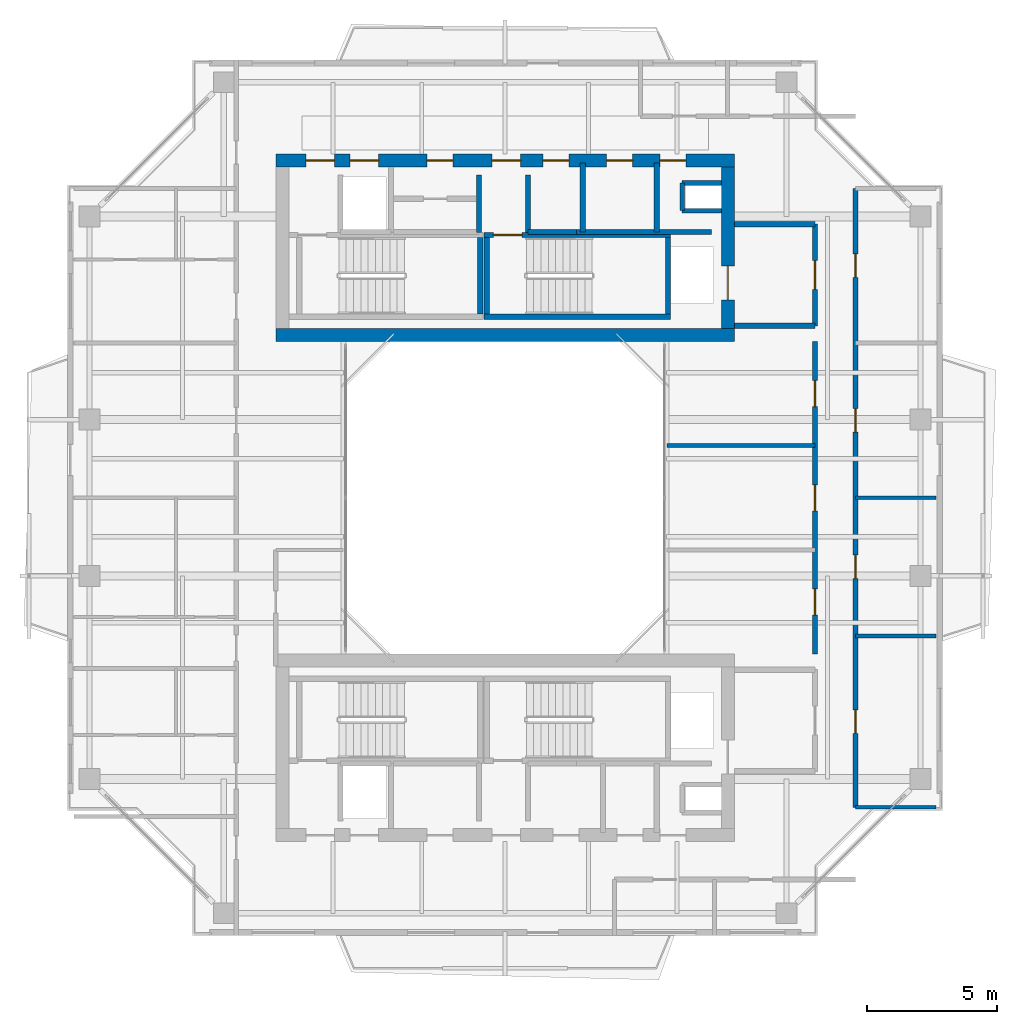
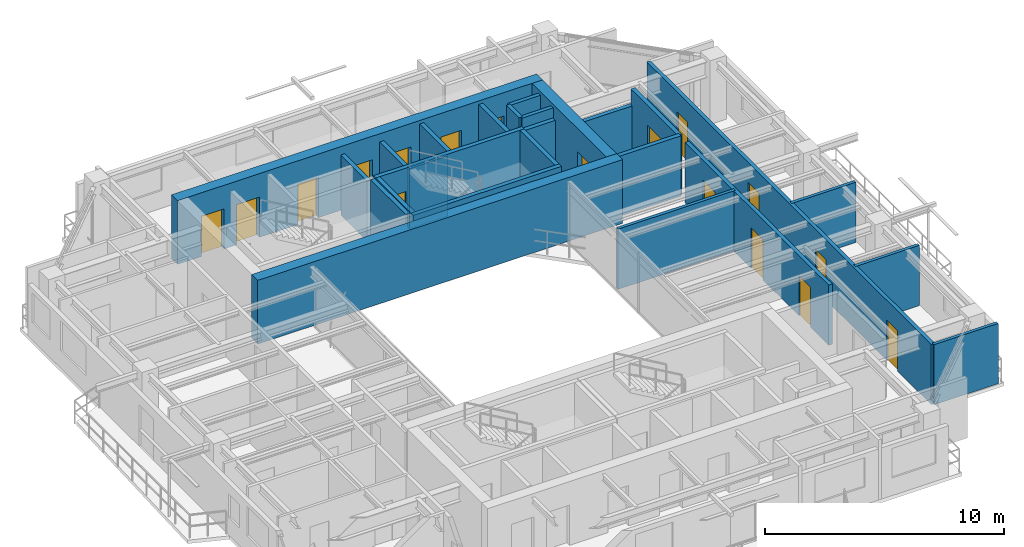
# One storey, part 12 of 16: 26 walls, 17 doors, 17 openings.
"""IFC4 building model written with IfcOpenShell, lengths in metres."""

from ifc_helpers import new_model, si_unit, direction, frame, frame_2d, origin, place, context, subcontext, project, spatial, rectangle, extrude, source, transform, mapped, material, layer, layer_set, type_object, element, fill, save


model = new_model("IFC4")

# Units and contexts
model_context = context("Model", 3, precision=1e-05, world=origin(), true_north=direction((0.0, 1.0)))
body_context = subcontext(model_context, "Body", "Model", "MODEL_VIEW")
ifc_project = project(units=[si_unit("LENGTHUNIT", "METRE"), si_unit("AREAUNIT", "SQUARE_METRE"), si_unit("VOLUMEUNIT", "CUBIC_METRE"), si_unit("PLANEANGLEUNIT", "RADIAN"), si_unit("MASSUNIT", "GRAM", prefix="KILO"), si_unit("THERMODYNAMICTEMPERATUREUNIT", "KELVIN"), si_unit("POWERUNIT", "WATT")], contexts=[model_context])

# Site, building, storey
site_placement = place(None, origin())
site = spatial("IfcSite", under=ifc_project, at=site_placement, CompositionType="ELEMENT")
building_placement = place(site_placement, origin())
building = spatial("IfcBuilding", under=site, at=building_placement, Name="Qiaomeng Ring Towers", CompositionType="ELEMENT")
storey_placement = place(building_placement, frame((0.0, 0.0, 210.0)))
storey = spatial("IfcBuildingStorey", under=building, at=storey_placement, Name="L61", CompositionType="ELEMENT", Elevation=210.0)

# Walls
ifc_material_1 = material(Name="Autoclaved aerated concrete block", Category="concrete")
ifc_layer_1 = layer(ifc_material_1, 0.199951171875, Name="Autoclaved aerated concrete block")
ifc_layer_set_1 = layer_set([ifc_layer_1], Name="Autoclaved aerated concrete block")
wall_type_1 = type_object("IfcWallType", Name="ARC-WL-PW1", PredefinedType="PARTITIONING", material=ifc_layer_set_1)
wall_1_placement = place(storey_placement, frame((27.800048828125, 29.60009765625, 0.0), z_axis=(0.0, 0.0, 1.0), x_axis=(1.0, 0.0, 0.0)))
element("IfcWall", 1, at=wall_1_placement, inside=storey, type_object=wall_type_1, Name="L61 Interior Wall PW1", PredefinedType="PARTITIONING", context=body_context, shape_type="SweptSolid", body=[
    extrude(rectangle(XDim=3.099853515625, YDim=0.199951171875, at=frame_2d((1.5498046875, 0.0))), origin(), (0.0, 0.0, 1.0), 3.070068359375),
])
wall_2_placement = place(storey_placement, frame((27.800048828125, 33.5, 0.0), z_axis=(0.0, 0.0, 1.0), x_axis=(1.0, 0.0, 0.0)))
element("IfcWall", 2, at=wall_2_placement, inside=storey, type_object=wall_type_1, Name="L61 Interior Wall PW1", PredefinedType="PARTITIONING", context=body_context, shape_type="SweptSolid", body=[
    extrude(rectangle(XDim=3.099853515625, YDim=0.199951171875, at=frame_2d((1.5498046875, 0.0))), origin(), (0.0, 0.0, 1.0), 2.264892578125),
])

# Wall, opening, door
wall_3_placement = place(storey_placement, frame((30.89990234375, 29.60009765625, 0.0), z_axis=(0.0, 0.0, 1.0), x_axis=(0.0, 1.0, 0.0)))
wall_3 = element("IfcWall", 3, at=wall_3_placement, inside=storey, type_object=wall_type_1, Name="L61 Interior Wall PW1", PredefinedType="PARTITIONING", context=body_context, shape_type="SweptSolid", body=[
    extrude(rectangle(XDim=3.89990234375, YDim=0.199951171875, at=frame_2d((1.949951171875, 0.0))), origin(), (0.0, 0.0, 1.0), 3.070068359375),
])
opening_1_placement = place(wall_3_placement, frame((1.39990234375, 0.0, 0.0)))
opening_1 = element("IfcOpeningElement", 4, at=opening_1_placement, cuts=wall_3, Name="Opening FD3", PredefinedType="OPENING", context=body_context, shape_type="SweptSolid", body=[
    extrude(rectangle(XDim=1.10009765625, YDim=2.050048828125, at=frame_2d((0.550048828125, 1.02490234375))), frame((0.0, 0.10986328125, 0.0), z_axis=(0.0, -1.0, 0.0), x_axis=(1.0, 0.0, 0.0)), (0.0, 0.0, 1.0), 0.219970703125),
])
ifc_material_2 = material(Name="Galvanised steel", Category="steel")
door_type_1 = type_object("IfcDoorType", Name="ARC-DR-FD3", OperationType="NOTDEFINED", PredefinedType="DOOR", material=ifc_material_2)
shared_shape_1 = source(origin(), body_context, "Body", "SweptSolid", [
    extrude(rectangle(XDim=1.10009765625, YDim=2.050048828125, at=frame_2d((0.550048828125, 1.02490234375))), frame((0.0, 0.02490234375, 0.0), z_axis=(0.0, -1.0, 0.0), x_axis=(1.0, 0.0, 0.0)), (0.0, 0.0, 1.0), 0.050048828125),
])
door_1_placement = place(opening_1_placement, origin())
door_1 = element("IfcDoor", 5, at=door_1_placement, inside=storey, type_object=door_type_1, Name="L61 North FF Lobby Door", OperationType="SINGLE_SWING_RIGHT", OverallHeight=2.050048828125, OverallWidth=1.10009765625, PredefinedType="DOOR", context=body_context, shape_type="MappedRepresentation", body=[
    mapped(shared_shape_1, transform((0.0, 0.0, 0.0), x_axis=(1.0, 0.0, 0.0), y_axis=(0.0, 1.0, 0.0), z_axis=(0.0, 0.0, 1.0), scale=1.0)),
])
fill(opening_1, door_1)

# Walls
for number, where, z_axis, x_axis, name in (
    (6, (18.0, 33.18994140625, 0.0), (0.0, 0.0, 1.0), (0.0, 1.0, 0.0), "L61 Interior Wall PW1"),
    (7, (19.8798828125, 33.18994140625, 0.0), (0.0, 0.0, 1.0), (0.0, 1.0, 0.0), "L61 Interior Wall PW1"),
):
    element("IfcWall", number, at=place(storey_placement, frame(where, z_axis=z_axis, x_axis=x_axis)), inside=storey, type_object=wall_type_1, Name=name, PredefinedType="PARTITIONING", context=body_context, shape_type="SweptSolid", body=[
        extrude(rectangle(XDim=2.2099609375, YDim=0.199951171875, at=frame_2d((1.10498046875, 0.0))), origin(), (0.0, 0.0, 1.0), 3.070068359375),
    ])
wall_4_placement = place(storey_placement, frame((24.820068359375, 33.199951171875, 0.0), z_axis=(0.0, 0.0, 1.0), x_axis=(0.0, 1.0, 0.0)))
element("IfcWall", 8, at=wall_4_placement, inside=storey, type_object=wall_type_1, Name="L61 Interior Wall PW1", PredefinedType="PARTITIONING", context=body_context, shape_type="SweptSolid", body=[
    extrude(rectangle(XDim=2.650146484375, YDim=0.199951171875, at=frame_2d((1.3251953125, 0.0))), origin(), (0.0, 0.0, 1.0), 3.070068359375),
])
wall_5_placement = place(storey_placement, frame((19.8798828125, 33.199951171875, 0.0), z_axis=(0.0, 0.0, 1.0), x_axis=(1.0, 0.0, 0.0)))
element("IfcWall", 9, at=wall_5_placement, inside=storey, type_object=wall_type_1, Name="L61 Interior Wall PW1", PredefinedType="PARTITIONING", context=body_context, shape_type="SweptSolid", body=[
    extrude(rectangle(XDim=1.8701171875, YDim=0.199951171875, at=frame_2d((0.93505859375, 0.0))), origin(), (0.0, 0.0, 1.0), 3.070068359375),
])
wall_6_placement = place(storey_placement, frame((21.97998046875, 33.199951171875, 0.0), z_axis=(0.0, 0.0, 1.0), x_axis=(0.0, 1.0, 0.0)))
element("IfcWall", 10, at=wall_6_placement, inside=storey, type_object=wall_type_1, Name="L61 Interior Wall PW1", PredefinedType="PARTITIONING", context=body_context, shape_type="SweptSolid", body=[
    extrude(rectangle(XDim=2.650146484375, YDim=0.199951171875, at=frame_2d((1.3251953125, 0.0))), origin(), (0.0, 0.0, 1.0), 3.070068359375),
])
wall_7_placement = place(storey_placement, frame((21.75, 33.199951171875, 0.0), z_axis=(0.0, 0.0, 1.0), x_axis=(1.0, 0.0, 0.0)))
element("IfcWall", 11, at=wall_7_placement, inside=storey, type_object=wall_type_1, Name="L61 Interior Wall PW1", PredefinedType="PARTITIONING", context=body_context, shape_type="SweptSolid", body=[
    extrude(rectangle(XDim=5.169921875, YDim=0.199951171875, at=frame_2d((2.5849609375, 0.0))), origin(), (0.0, 0.0, 1.0), 3.070068359375),
])

# Wall, openings, doors
ifc_layer_2 = layer(ifc_material_1, 0.179931640625, Name="Autoclaved aerated concrete block")
ifc_layer_set_2 = layer_set([ifc_layer_2], Name="Autoclaved aerated concrete block")
wall_type_2 = type_object("IfcWallType", Name="ARC-WL-PW2", PredefinedType="PARTITIONING", material=ifc_layer_set_2)
wall_8_placement = place(storey_placement, frame((30.89990234375, 17.0, 0.0), z_axis=(0.0, 0.0, 1.0), x_axis=(0.0, 1.0, 0.0)))
wall_8 = element("IfcWall", 12, at=wall_8_placement, inside=storey, type_object=wall_type_2, Name="L61 Interior Wall PW2", PredefinedType="PARTITIONING", context=body_context, shape_type="SweptSolid", body=[
    extrude(rectangle(XDim=12.0, YDim=0.179931640625, at=frame_2d((6.0, 0.0))), origin(), (0.0, 0.0, 1.0), 3.070068359375),
])
opening_2_placement = place(wall_8_placement, frame((1.5, 0.0, 0.0)))
opening_2 = element("IfcOpeningElement", 13, at=opening_2_placement, cuts=wall_8, Name="Opening FD4", PredefinedType="OPENING", context=body_context, shape_type="SweptSolid", body=[
    extrude(rectangle(XDim=1.0, YDim=2.050048828125, at=frame_2d((0.5, 1.02490234375))), frame((0.0, 0.099853515625, 0.0), z_axis=(0.0, -1.0, 0.0), x_axis=(1.0, 0.0, 0.0)), (0.0, 0.0, 1.0), 0.199951171875),
])
opening_3_placement = place(wall_8_placement, frame((5.5, 0.0, 0.0)))
opening_3 = element("IfcOpeningElement", 14, at=opening_3_placement, cuts=wall_8, Name="Opening FD4", PredefinedType="OPENING", context=body_context, shape_type="SweptSolid", body=[
    extrude(rectangle(XDim=1.0, YDim=2.050048828125, at=frame_2d((0.5, 1.02490234375))), frame((0.0, 0.099853515625, 0.0), z_axis=(0.0, -1.0, 0.0), x_axis=(1.0, 0.0, 0.0)), (0.0, 0.0, 1.0), 0.199951171875),
])
opening_4_placement = place(wall_8_placement, frame((9.5, 0.0, 0.0)))
opening_4 = element("IfcOpeningElement", 15, at=opening_4_placement, cuts=wall_8, Name="Opening FD4", PredefinedType="OPENING", context=body_context, shape_type="SweptSolid", body=[
    extrude(rectangle(XDim=1.0, YDim=2.050048828125, at=frame_2d((0.5, 1.02490234375))), frame((0.0, 0.099853515625, 0.0), z_axis=(0.0, -1.0, 0.0), x_axis=(1.0, 0.0, 0.0)), (0.0, 0.0, 1.0), 0.199951171875),
])
ifc_material_3 = material(Name="Engineered fire-rated oak timber", Category="wood")
door_type_2 = type_object("IfcDoorType", Name="ARC-DR-FD4", OperationType="NOTDEFINED", PredefinedType="DOOR", material=ifc_material_3)
shared_shape_2 = source(origin(), body_context, "Body", "SweptSolid", [
    extrude(rectangle(XDim=1.0, YDim=2.050048828125, at=frame_2d((0.5, 1.02490234375))), frame((0.0, 0.02490234375, 0.0), z_axis=(0.0, -1.0, 0.0), x_axis=(1.0, 0.0, 0.0)), (0.0, 0.0, 1.0), 0.050048828125),
])
door_2_placement = place(opening_2_placement, origin())
door_2 = element("IfcDoor", 16, at=door_2_placement, inside=storey, type_object=door_type_2, Name="L61 Door FD4", OperationType="SINGLE_SWING_RIGHT", OverallHeight=2.050048828125, OverallWidth=1.0, PredefinedType="DOOR", context=body_context, shape_type="MappedRepresentation", body=[
    mapped(shared_shape_2, transform((0.0, 0.0, 0.0), x_axis=(1.0, 0.0, 0.0), y_axis=(0.0, 1.0, 0.0), z_axis=(0.0, 0.0, 1.0), scale=1.0)),
])
fill(opening_2, door_2)
door_3_placement = place(opening_3_placement, origin())
door_3 = element("IfcDoor", 17, at=door_3_placement, inside=storey, type_object=door_type_2, Name="L61 Door FD4", OperationType="SINGLE_SWING_LEFT", OverallHeight=2.050048828125, OverallWidth=1.0, PredefinedType="DOOR", context=body_context, shape_type="MappedRepresentation", body=[
    mapped(shared_shape_2, transform((0.0, 0.0, 0.0), x_axis=(1.0, 0.0, 0.0), y_axis=(0.0, 1.0, 0.0), z_axis=(0.0, 0.0, 1.0), scale=1.0)),
])
fill(opening_3, door_3)
door_4_placement = place(opening_4_placement, origin())
door_4 = element("IfcDoor", 18, at=door_4_placement, inside=storey, type_object=door_type_2, Name="L61 Door FD4", OperationType="SINGLE_SWING_RIGHT", OverallHeight=2.050048828125, OverallWidth=1.0, PredefinedType="DOOR", context=body_context, shape_type="MappedRepresentation", body=[
    mapped(shared_shape_2, transform((0.0, 0.0, 0.0), x_axis=(1.0, 0.0, 0.0), y_axis=(0.0, 1.0, 0.0), z_axis=(0.0, 0.0, 1.0), scale=1.0)),
])
fill(opening_4, door_4)

wall_9_placement = place(storey_placement, frame((32.449951171875, 11.1201171875, 0.0), z_axis=(0.0, 0.0, 1.0), x_axis=(0.0, 1.0, 0.0)))
wall_9 = element("IfcWall", 19, at=wall_9_placement, inside=storey, type_object=wall_type_2, Name="L61 Interior Wall PW2", PredefinedType="PARTITIONING", context=body_context, shape_type="SweptSolid", body=[
    extrude(rectangle(XDim=23.759765625, YDim=0.179931640625, at=frame_2d((11.8798828125, 0.0))), origin(), (0.0, 0.0, 1.0), 3.070068359375),
])
opening_5_placement = place(wall_9_placement, frame((2.8349609375, 0.0, 0.0)))
opening_5 = element("IfcOpeningElement", 20, at=opening_5_placement, cuts=wall_9, Name="Opening ID1", PredefinedType="OPENING", context=body_context, shape_type="SweptSolid", body=[
    extrude(rectangle(XDim=0.89990234375, YDim=2.050048828125, at=frame_2d((0.449951171875, 1.02490234375))), frame((0.0, 0.099853515625, 0.0), z_axis=(0.0, -1.0, 0.0), x_axis=(1.0, 0.0, 0.0)), (0.0, 0.0, 1.0), 0.199951171875),
])
opening_6_placement = place(wall_9_placement, frame((8.77490234375, 0.0, 0.0)))
opening_6 = element("IfcOpeningElement", 21, at=opening_6_placement, cuts=wall_9, Name="Opening ID1", PredefinedType="OPENING", context=body_context, shape_type="SweptSolid", body=[
    extrude(rectangle(XDim=0.89990234375, YDim=2.050048828125, at=frame_2d((0.449951171875, 1.02490234375))), frame((0.0, 0.099853515625, 0.0), z_axis=(0.0, -1.0, 0.0), x_axis=(1.0, 0.0, 0.0)), (0.0, 0.0, 1.0), 0.199951171875),
])
opening_7_placement = place(wall_9_placement, frame((14.39990234375, 0.0, 0.0)))
opening_7 = element("IfcOpeningElement", 22, at=opening_7_placement, cuts=wall_9, Name="Opening ID1", PredefinedType="OPENING", context=body_context, shape_type="SweptSolid", body=[
    extrude(rectangle(XDim=0.89990234375, YDim=2.050048828125, at=frame_2d((0.449951171875, 1.02490234375))), frame((0.0, 0.099853515625, 0.0), z_axis=(0.0, -1.0, 0.0), x_axis=(1.0, 0.0, 0.0)), (0.0, 0.0, 1.0), 0.199951171875),
])
opening_8_placement = place(wall_9_placement, frame((20.340087890625, 0.0, 0.0)))
opening_8 = element("IfcOpeningElement", 23, at=opening_8_placement, cuts=wall_9, Name="Opening ID1", PredefinedType="OPENING", context=body_context, shape_type="SweptSolid", body=[
    extrude(rectangle(XDim=0.89990234375, YDim=2.050048828125, at=frame_2d((0.449951171875, 1.02490234375))), frame((0.0, 0.099853515625, 0.0), z_axis=(0.0, -1.0, 0.0), x_axis=(1.0, 0.0, 0.0)), (0.0, 0.0, 1.0), 0.199951171875),
])
ifc_material_4 = material(Name="Engineered oak timber", Category="wood")
door_type_3 = type_object("IfcDoorType", Name="ARC-DR-ID1", OperationType="NOTDEFINED", PredefinedType="DOOR", material=ifc_material_4)
shared_shape_3 = source(origin(), body_context, "Body", "SweptSolid", [
    extrude(rectangle(XDim=0.89990234375, YDim=2.050048828125, at=frame_2d((0.449951171875, 1.02490234375))), frame((0.0, 0.02490234375, 0.0), z_axis=(0.0, -1.0, 0.0), x_axis=(1.0, 0.0, 0.0)), (0.0, 0.0, 1.0), 0.050048828125),
])
door_5_placement = place(opening_5_placement, origin())
door_5 = element("IfcDoor", 24, at=door_5_placement, inside=storey, type_object=door_type_3, Name="L61 Door ID1", OperationType="SINGLE_SWING_LEFT", OverallHeight=2.050048828125, OverallWidth=0.89990234375, PredefinedType="DOOR", context=body_context, shape_type="MappedRepresentation", body=[
    mapped(shared_shape_3, transform((0.0, 0.0, 0.0), x_axis=(1.0, 0.0, 0.0), y_axis=(0.0, 1.0, 0.0), z_axis=(0.0, 0.0, 1.0), scale=1.0)),
])
fill(opening_5, door_5)
door_6_placement = place(opening_6_placement, origin())
door_6 = element("IfcDoor", 25, at=door_6_placement, inside=storey, type_object=door_type_3, Name="L61 Door ID1", OperationType="SINGLE_SWING_RIGHT", OverallHeight=2.050048828125, OverallWidth=0.89990234375, PredefinedType="DOOR", context=body_context, shape_type="MappedRepresentation", body=[
    mapped(shared_shape_3, transform((0.0, 0.0, 0.0), x_axis=(1.0, 0.0, 0.0), y_axis=(0.0, 1.0, 0.0), z_axis=(0.0, 0.0, 1.0), scale=1.0)),
])
fill(opening_6, door_6)
door_7_placement = place(opening_7_placement, origin())
door_7 = element("IfcDoor", 26, at=door_7_placement, inside=storey, type_object=door_type_3, Name="L61 Door ID1", OperationType="SINGLE_SWING_LEFT", OverallHeight=2.050048828125, OverallWidth=0.89990234375, PredefinedType="DOOR", context=body_context, shape_type="MappedRepresentation", body=[
    mapped(shared_shape_3, transform((0.0, 0.0, 0.0), x_axis=(1.0, 0.0, 0.0), y_axis=(0.0, 1.0, 0.0), z_axis=(0.0, 0.0, 1.0), scale=1.0)),
])
fill(opening_7, door_7)
door_8_placement = place(opening_8_placement, origin())
door_8 = element("IfcDoor", 27, at=door_8_placement, inside=storey, type_object=door_type_3, Name="L61 Door ID1", OperationType="SINGLE_SWING_RIGHT", OverallHeight=2.050048828125, OverallWidth=0.89990234375, PredefinedType="DOOR", context=body_context, shape_type="MappedRepresentation", body=[
    mapped(shared_shape_3, transform((0.0, 0.0, 0.0), x_axis=(1.0, 0.0, 0.0), y_axis=(0.0, 1.0, 0.0), z_axis=(0.0, 0.0, 1.0), scale=1.0)),
])
fill(opening_8, door_8)

# Walls
ifc_material_5 = material(Name="Gypsum fireboard steel-stud partition", Category="steel")
ifc_layer_3 = layer(ifc_material_5, 0.14990234375, Name="Gypsum fireboard steel-stud partition")
ifc_layer_set_3 = layer_set([ifc_layer_3], Name="Gypsum fireboard steel-stud partition")
wall_type_3 = type_object("IfcWallType", Name="ARC-WL-PW3", PredefinedType="PARTITIONING", material=ifc_layer_set_3)
wall_10_placement = place(storey_placement, frame((25.219970703125, 25.0, 0.0), z_axis=(0.0, 0.0, 1.0), x_axis=(1.0, 0.0, 0.0)))
element("IfcWall", 28, at=wall_10_placement, inside=storey, type_object=wall_type_3, Name="L61 Interior Wall PW3", PredefinedType="PARTITIONING", context=body_context, shape_type="SweptSolid", body=[
    extrude(rectangle(XDim=5.679931640625, YDim=0.14990234375, at=frame_2d((2.83984375, 0.0))), origin(), (0.0, 0.0, 1.0), 3.070068359375),
])
for number, where, z_axis, x_axis, name in (
    (29, (32.449951171875, 11.1201171875, 0.0), (0.0, 0.0, 1.0), (1.0, 0.0, 0.0), "L61 Interior Wall PW3"),
    (30, (32.449951171875, 17.68994140625, 0.0), (0.0, 0.0, 1.0), (1.0, 0.0, 0.0), "L61 Interior Wall PW3"),
    (31, (32.449951171875, 23.0, 0.0), (0.0, 0.0, 1.0), (1.0, 0.0, 0.0), "L61 Interior Wall PW3"),
):
    element("IfcWall", number, at=place(storey_placement, frame(where, z_axis=z_axis, x_axis=x_axis)), inside=storey, type_object=wall_type_3, Name=name, PredefinedType="PARTITIONING", context=body_context, shape_type="SweptSolid", body=[
        extrude(rectangle(XDim=3.10009765625, YDim=0.14990234375, at=frame_2d((1.550048828125, 0.0))), origin(), (0.0, 0.0, 1.0), 3.070068359375),
    ])
ifc_material_6 = material(Name="Concrete C40", Category="concrete")
ifc_layer_4 = layer(ifc_material_6, 0.199951171875, Name="Concrete C40")
ifc_layer_set_4 = layer_set([ifc_layer_4], Name="Concrete C40")
wall_type_4 = type_object("IfcWallType", Name="STR-WL-STSHAFT", PredefinedType="SHEAR", material=ifc_layer_set_4)
wall_11_placement = place(storey_placement, frame((25.800048828125, 34.02001953125, 0.0), z_axis=(0.0, 0.0, 1.0), x_axis=(0.0, 1.0, 0.0)))
element("IfcWall", 32, at=wall_11_placement, inside=storey, type_object=wall_type_4, Name="L61 Riser RSR1 West Shaft Wall N", PredefinedType="SHEAR", context=body_context, shape_type="SweptSolid", body=[
    extrude(rectangle(XDim=1.06005859375, YDim=0.179931640625, at=frame_2d((0.530029296875, 0.0))), origin(), (0.0, 0.0, 1.0), 3.070068359375),
])
for number, where, z_axis, x_axis, name in (
    (33, (25.800048828125, 35.080078125, 0.0), (0.0, 0.0, 1.0), (1.0, 0.0, 0.0), "L61 Riser RSR1 North Shaft Wall N"),
    (34, (25.800048828125, 34.02001953125, 0.0), (0.0, 0.0, 1.0), (1.0, 0.0, 0.0), "L61 Riser RSR1 South Shaft Wall N"),
):
    element("IfcWall", number, at=place(storey_placement, frame(where, z_axis=z_axis, x_axis=x_axis)), inside=storey, type_object=wall_type_4, Name=name, PredefinedType="SHEAR", context=body_context, shape_type="SweptSolid", body=[
        extrude(rectangle(XDim=1.5, YDim=0.179931640625, at=frame_2d((0.75, 0.0))), origin(), (0.0, 0.0, 1.0), 3.070068359375),
    ])
wall_12_placement = place(storey_placement, frame((18.050048828125, 30.050048828125, 0.0), z_axis=(0.0, 0.0, 1.0), x_axis=(0.0, 1.0, 0.0)))
element("IfcWall", 35, at=wall_12_placement, inside=storey, type_object=wall_type_4, Name="L61 Stair ST1 East Shaft Shear Wall", PredefinedType="SHEAR", context=body_context, shape_type="SweptSolid", body=[
    extrude(rectangle(XDim=2.93994140625, YDim=0.199951171875, at=frame_2d((1.469970703125, 0.0))), origin(), (0.0, 0.0, 1.0), 3.25),
])
wall_13_placement = place(storey_placement, frame((18.199951171875, 29.949951171875, 0.0), z_axis=(0.0, 0.0, 1.0), x_axis=(1.0, 0.0, 0.0)))
element("IfcWall", 36, at=wall_13_placement, inside=storey, type_object=wall_type_4, Name="L61 Stair ST2 South Shaft Shear Wall", PredefinedType="SHEAR", context=body_context, shape_type="SweptSolid", body=[
    extrude(rectangle(XDim=7.150146484375, YDim=0.199951171875, at=frame_2d((3.5751953125, 0.0))), origin(), (0.0, 0.0, 1.0), 3.25),
])

# Wall, opening, door
wall_14_placement = place(storey_placement, frame((18.199951171875, 33.090087890625, 0.0), z_axis=(0.0, 0.0, 1.0), x_axis=(1.0, 0.0, 0.0)))
wall_14 = element("IfcWall", 37, at=wall_14_placement, inside=storey, type_object=wall_type_4, Name="L61 Stair ST2 North Shaft Shear Wall", PredefinedType="SHEAR", context=body_context, shape_type="SweptSolid", body=[
    extrude(rectangle(XDim=7.150146484375, YDim=0.199951171875, at=frame_2d((3.5751953125, 0.0))), origin(), (0.0, 0.0, 1.0), 3.25),
])
opening_9_placement = place(wall_14_placement, frame((0.35009765625, 0.0, 0.0)))
opening_9 = element("IfcOpeningElement", 38, at=opening_9_placement, cuts=wall_14, Name="Opening FD3", PredefinedType="OPENING", context=body_context, shape_type="SweptSolid", body=[
    extrude(rectangle(XDim=1.10009765625, YDim=2.050048828125, at=frame_2d((0.550048828125, 1.02490234375))), frame((0.0, 0.10986328125, 0.0), z_axis=(0.0, -1.0, 0.0), x_axis=(1.0, 0.0, 0.0)), (0.0, 0.0, 1.0), 0.219970703125),
])
door_9_placement = place(opening_9_placement, origin())
door_9 = element("IfcDoor", 39, at=door_9_placement, inside=storey, type_object=door_type_1, Name="L61 Stair ST2 Exit Door", OperationType="SINGLE_SWING_LEFT", OverallHeight=2.050048828125, OverallWidth=1.10009765625, PredefinedType="DOOR", context=body_context, shape_type="MappedRepresentation", body=[
    mapped(shared_shape_1, transform((0.0, 0.0, 0.0), x_axis=(1.0, 0.0, 0.0), y_axis=(0.0, 1.0, 0.0), z_axis=(0.0, 0.0, 1.0), scale=1.0)),
])
fill(opening_9, door_9)

# Walls
for number, where, z_axis, x_axis, name in (
    (40, (18.300048828125, 30.050048828125, 0.0), (0.0, 0.0, 1.0), (0.0, 1.0, 0.0), "L61 Stair ST2 West Shaft Shear Wall"),
    (41, (25.25, 30.050048828125, 0.0), (0.0, 0.0, 1.0), (0.0, 1.0, 0.0), "L61 Stair ST2 East Shaft Shear Wall"),
):
    element("IfcWall", number, at=place(storey_placement, frame(where, z_axis=z_axis, x_axis=x_axis)), inside=storey, type_object=wall_type_4, Name=name, PredefinedType="SHEAR", context=body_context, shape_type="SweptSolid", body=[
        extrude(rectangle(XDim=2.93994140625, YDim=0.199951171875, at=frame_2d((1.469970703125, 0.0))), origin(), (0.0, 0.0, 1.0), 3.25),
    ])
ifc_layer_5 = layer(ifc_material_6, 0.5, Name="Concrete C40")
ifc_layer_set_5 = layer_set([ifc_layer_5], Name="Concrete C40")
wall_type_5 = type_object("IfcWallType", Name="STR-WL-SW3", PredefinedType="SHEAR", material=ifc_layer_set_5)
wall_15_placement = place(storey_placement, frame((10.199951171875, 29.25, 0.0), z_axis=(0.0, 0.0, 1.0), x_axis=(1.0, 0.0, 0.0)))
element("IfcWall", 42, at=wall_15_placement, inside=storey, type_object=wall_type_5, Name="L61 T1NC south core shear wall", PredefinedType="SHEAR", context=body_context, shape_type="SweptSolid", body=[
    extrude(rectangle(XDim=17.60009765625, YDim=0.5, at=frame_2d((8.800048828125, 0.0))), origin(), (0.0, 0.0, 1.0), 3.25),
])

# Wall, openings, doors
wall_16_placement = place(storey_placement, frame((10.199951171875, 35.949951171875, 0.0), z_axis=(0.0, 0.0, 1.0), x_axis=(1.0, 0.0, 0.0)))
wall_16 = element("IfcWall", 43, at=wall_16_placement, inside=storey, type_object=wall_type_5, Name="L61 T1NC north core shear wall", PredefinedType="SHEAR", context=body_context, shape_type="SweptSolid", body=[
    extrude(rectangle(XDim=17.60009765625, YDim=0.5, at=frame_2d((8.800048828125, 0.0))), origin(), (0.0, 0.0, 1.0), 3.25),
])
opening_10_placement = place(wall_16_placement, frame((1.14990234375, 0.0, 0.0)))
opening_10 = element("IfcOpeningElement", 44, at=opening_10_placement, cuts=wall_16, Name="Opening FD3", PredefinedType="OPENING", context=body_context, shape_type="SweptSolid", body=[
    extrude(rectangle(XDim=1.10009765625, YDim=2.050048828125, at=frame_2d((0.550048828125, 1.02490234375))), frame((0.0, 0.260009765625, 0.0), z_axis=(0.0, -1.0, 0.0), x_axis=(1.0, 0.0, 0.0)), (0.0, 0.0, 1.0), 0.52001953125),
])
opening_11_placement = place(wall_16_placement, frame((8.300048828125, 0.0, 0.0)))
opening_11 = element("IfcOpeningElement", 45, at=opening_11_placement, cuts=wall_16, Name="Opening FD3", PredefinedType="OPENING", context=body_context, shape_type="SweptSolid", body=[
    extrude(rectangle(XDim=1.10009765625, YDim=2.050048828125, at=frame_2d((0.550048828125, 1.02490234375))), frame((0.0, 0.260009765625, 0.0), z_axis=(0.0, -1.0, 0.0), x_axis=(1.0, 0.0, 0.0)), (0.0, 0.0, 1.0), 0.52001953125),
])
opening_12_placement = place(wall_16_placement, frame((2.85009765625, 0.0, 0.0)))
opening_12 = element("IfcOpeningElement", 46, at=opening_12_placement, cuts=wall_16, Name="Opening LD1", PredefinedType="OPENING", context=body_context, shape_type="SweptSolid", body=[
    extrude(rectangle(XDim=1.10009765625, YDim=2.050048828125, at=frame_2d((0.550048828125, 1.02490234375))), frame((0.0, 0.260009765625, 0.0), z_axis=(0.0, -1.0, 0.0), x_axis=(1.0, 0.0, 0.0)), (0.0, 0.0, 1.0), 0.52001953125),
])
opening_13_placement = place(wall_16_placement, frame((5.800048828125, 0.0, 0.0)))
opening_13 = element("IfcOpeningElement", 47, at=opening_13_placement, cuts=wall_16, Name="Opening FD1", PredefinedType="OPENING", context=body_context, shape_type="SweptSolid", body=[
    extrude(rectangle(XDim=1.0, YDim=2.050048828125, at=frame_2d((0.5, 1.02490234375))), frame((0.0, 0.260009765625, 0.0), z_axis=(0.0, -1.0, 0.0), x_axis=(1.0, 0.0, 0.0)), (0.0, 0.0, 1.0), 0.52001953125),
])
opening_14_placement = place(wall_16_placement, frame((14.739990234375, 0.0, 0.0)))
opening_14 = element("IfcOpeningElement", 48, at=opening_14_placement, cuts=wall_16, Name="Opening FD1", PredefinedType="OPENING", context=body_context, shape_type="SweptSolid", body=[
    extrude(rectangle(XDim=1.0, YDim=2.050048828125, at=frame_2d((0.5, 1.02490234375))), frame((0.0, 0.260009765625, 0.0), z_axis=(0.0, -1.0, 0.0), x_axis=(1.0, 0.0, 0.0)), (0.0, 0.0, 1.0), 0.52001953125),
])
opening_15_placement = place(wall_16_placement, frame((10.25, 0.0, 0.0)))
opening_15 = element("IfcOpeningElement", 49, at=opening_15_placement, cuts=wall_16, Name="Opening FD1", PredefinedType="OPENING", context=body_context, shape_type="SweptSolid", body=[
    extrude(rectangle(XDim=1.0, YDim=2.050048828125, at=frame_2d((0.5, 1.02490234375))), frame((0.0, 0.260009765625, 0.0), z_axis=(0.0, -1.0, 0.0), x_axis=(1.0, 0.0, 0.0)), (0.0, 0.0, 1.0), 0.52001953125),
])
opening_16_placement = place(wall_16_placement, frame((12.699951171875, 0.0, 0.0)))
opening_16 = element("IfcOpeningElement", 50, at=opening_16_placement, cuts=wall_16, Name="Opening FD1", PredefinedType="OPENING", context=body_context, shape_type="SweptSolid", body=[
    extrude(rectangle(XDim=1.0, YDim=2.050048828125, at=frame_2d((0.5, 1.02490234375))), frame((0.0, 0.260009765625, 0.0), z_axis=(0.0, -1.0, 0.0), x_axis=(1.0, 0.0, 0.0)), (0.0, 0.0, 1.0), 0.52001953125),
])
door_10_placement = place(opening_10_placement, origin())
door_10 = element("IfcDoor", 51, at=door_10_placement, inside=storey, type_object=door_type_1, Name="L61 Stair ST1 Lobby Door", OperationType="SINGLE_SWING_RIGHT", OverallHeight=2.050048828125, OverallWidth=1.10009765625, PredefinedType="DOOR", context=body_context, shape_type="MappedRepresentation", body=[
    mapped(shared_shape_1, transform((0.0, 0.0, 0.0), x_axis=(1.0, 0.0, 0.0), y_axis=(0.0, 1.0, 0.0), z_axis=(0.0, 0.0, 1.0), scale=1.0)),
])
fill(opening_10, door_10)
door_11_placement = place(opening_11_placement, origin())
door_11 = element("IfcDoor", 52, at=door_11_placement, inside=storey, type_object=door_type_1, Name="L61 Stair ST2 Lobby Door", OperationType="SINGLE_SWING_RIGHT", OverallHeight=2.050048828125, OverallWidth=1.10009765625, PredefinedType="DOOR", context=body_context, shape_type="MappedRepresentation", body=[
    mapped(shared_shape_1, transform((0.0, 0.0, 0.0), x_axis=(1.0, 0.0, 0.0), y_axis=(0.0, 1.0, 0.0), z_axis=(0.0, 0.0, 1.0), scale=1.0)),
])
fill(opening_11, door_11)
ifc_material_7 = material(Name="Stainless steel 316", Category="steel")
door_type_4 = type_object("IfcDoorType", Name="ARC-DR-LD1", OperationType="NOTDEFINED", PredefinedType="DOOR", material=ifc_material_7)
door_12_placement = place(opening_12_placement, origin())
door_12 = element("IfcDoor", 53, at=door_12_placement, inside=storey, type_object=door_type_4, Name="L61 High-Zone Lift LP5 Landing Door", OperationType="SLIDING_TO_LEFT", OverallHeight=2.050048828125, OverallWidth=1.10009765625, PredefinedType="DOOR", context=body_context, shape_type="MappedRepresentation", body=[
    mapped(shared_shape_1, transform((0.0, 0.0, 0.0), x_axis=(1.0, 0.0, 0.0), y_axis=(0.0, 1.0, 0.0), z_axis=(0.0, 0.0, 1.0), scale=1.0)),
])
fill(opening_12, door_12)
door_type_5 = type_object("IfcDoorType", Name="ARC-DR-FD1", OperationType="NOTDEFINED", PredefinedType="DOOR", material=ifc_material_2)
door_13_placement = place(opening_13_placement, origin())
door_13 = element("IfcDoor", 54, at=door_13_placement, inside=storey, type_object=door_type_5, Name="L61 High-Zone Tea Pantry Door", OperationType="SINGLE_SWING_LEFT", OverallHeight=2.050048828125, OverallWidth=1.0, PredefinedType="DOOR", context=body_context, shape_type="MappedRepresentation", body=[
    mapped(shared_shape_2, transform((0.0, 0.0, 0.0), x_axis=(1.0, 0.0, 0.0), y_axis=(0.0, 1.0, 0.0), z_axis=(0.0, 0.0, 1.0), scale=1.0)),
])
fill(opening_13, door_13)
door_14_placement = place(opening_14_placement, origin())
door_14 = element("IfcDoor", 55, at=door_14_placement, inside=storey, type_object=door_type_5, Name="L61 North Electrical Riser Door", OperationType="SINGLE_SWING_LEFT", OverallHeight=2.050048828125, OverallWidth=1.0, PredefinedType="DOOR", context=body_context, shape_type="MappedRepresentation", body=[
    mapped(shared_shape_2, transform((0.0, 0.0, 0.0), x_axis=(1.0, 0.0, 0.0), y_axis=(0.0, 1.0, 0.0), z_axis=(0.0, 0.0, 1.0), scale=1.0)),
])
fill(opening_14, door_14)
door_15_placement = place(opening_15_placement, origin())
door_15 = element("IfcDoor", 56, at=door_15_placement, inside=storey, type_object=door_type_5, Name="L61 North Cleaners Store Door", OperationType="SINGLE_SWING_LEFT", OverallHeight=2.050048828125, OverallWidth=1.0, PredefinedType="DOOR", context=body_context, shape_type="MappedRepresentation", body=[
    mapped(shared_shape_2, transform((0.0, 0.0, 0.0), x_axis=(1.0, 0.0, 0.0), y_axis=(0.0, 1.0, 0.0), z_axis=(0.0, 0.0, 1.0), scale=1.0)),
])
fill(opening_15, door_15)
door_16_placement = place(opening_16_placement, origin())
door_16 = element("IfcDoor", 57, at=door_16_placement, inside=storey, type_object=door_type_5, Name="L61 North Facilities Management Office Door", OperationType="SINGLE_SWING_RIGHT", OverallHeight=2.050048828125, OverallWidth=1.0, PredefinedType="DOOR", context=body_context, shape_type="MappedRepresentation", body=[
    mapped(shared_shape_2, transform((0.0, 0.0, 0.0), x_axis=(1.0, 0.0, 0.0), y_axis=(0.0, 1.0, 0.0), z_axis=(0.0, 0.0, 1.0), scale=1.0)),
])
fill(opening_16, door_16)

# Wall, opening, door
wall_17_placement = place(storey_placement, frame((27.550048828125, 29.5, 0.0), z_axis=(0.0, 0.0, 1.0), x_axis=(0.0, 1.0, 0.0)))
wall_17 = element("IfcWall", 58, at=wall_17_placement, inside=storey, type_object=wall_type_5, Name="L61 T1NC east core shear wall", PredefinedType="SHEAR", context=body_context, shape_type="SweptSolid", body=[
    extrude(rectangle(XDim=6.199951171875, YDim=0.5, at=frame_2d((3.10009765625, 0.0))), origin(), (0.0, 0.0, 1.0), 3.25),
])
opening_17_placement = place(wall_17_placement, frame((1.10009765625, 0.0, 0.0)))
opening_17 = element("IfcOpeningElement", 59, at=opening_17_placement, cuts=wall_17, Name="Opening LD2", PredefinedType="OPENING", context=body_context, shape_type="SweptSolid", body=[
    extrude(rectangle(XDim=1.300048828125, YDim=2.050048828125, at=frame_2d((0.64990234375, 1.02490234375))), frame((0.0, 0.260009765625, 0.0), z_axis=(0.0, -1.0, 0.0), x_axis=(1.0, 0.0, 0.0)), (0.0, 0.0, 1.0), 0.52001953125),
])
door_type_6 = type_object("IfcDoorType", Name="ARC-DR-LD2", OperationType="NOTDEFINED", PredefinedType="DOOR", material=ifc_material_7)
shared_shape_4 = source(origin(), body_context, "Body", "SweptSolid", [
    extrude(rectangle(XDim=1.300048828125, YDim=2.050048828125, at=frame_2d((0.64990234375, 1.02490234375))), frame((0.0, 0.02490234375, 0.0), z_axis=(0.0, -1.0, 0.0), x_axis=(1.0, 0.0, 0.0)), (0.0, 0.0, 1.0), 0.050048828125),
])
door_17_placement = place(opening_17_placement, origin())
door_17 = element("IfcDoor", 60, at=door_17_placement, inside=storey, type_object=door_type_6, Name="L61 Firefighting Lift FL1 Landing Door", OperationType="SLIDING_TO_LEFT", OverallHeight=2.050048828125, OverallWidth=1.300048828125, PredefinedType="DOOR", context=body_context, shape_type="MappedRepresentation", body=[
    mapped(shared_shape_4, transform((0.0, 0.0, 0.0), x_axis=(1.0, 0.0, 0.0), y_axis=(0.0, 1.0, 0.0), z_axis=(0.0, 0.0, 1.0), scale=1.0)),
])
fill(opening_17, door_17)

save(model, "model.ifc")
